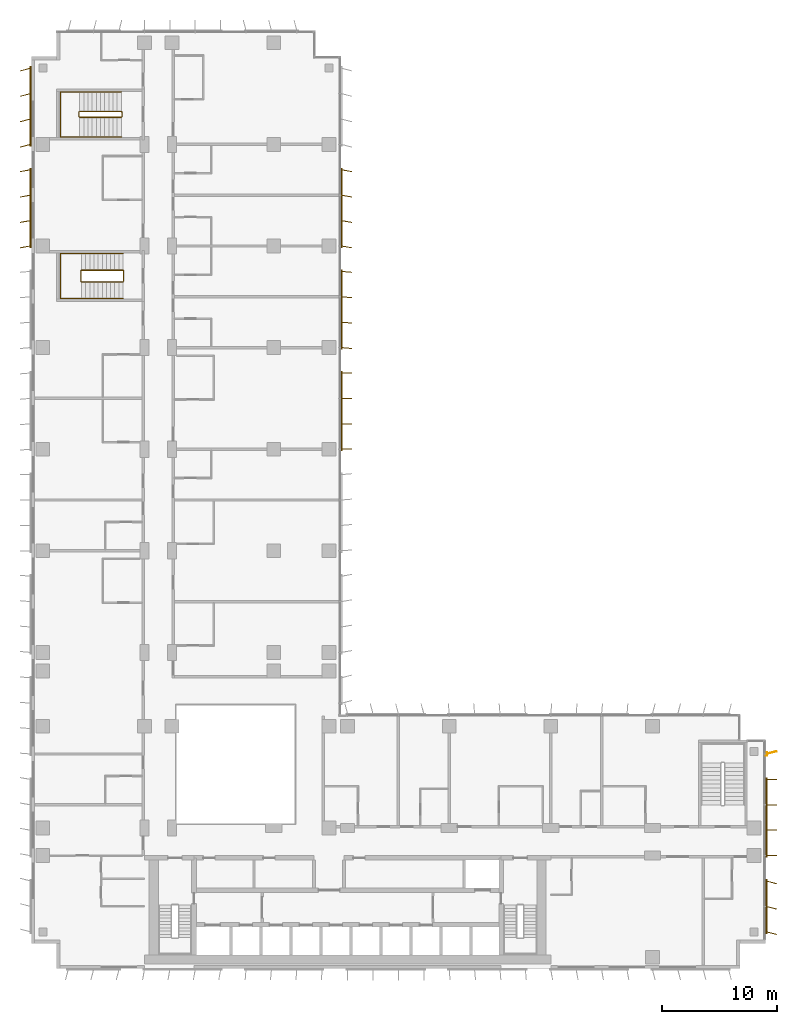
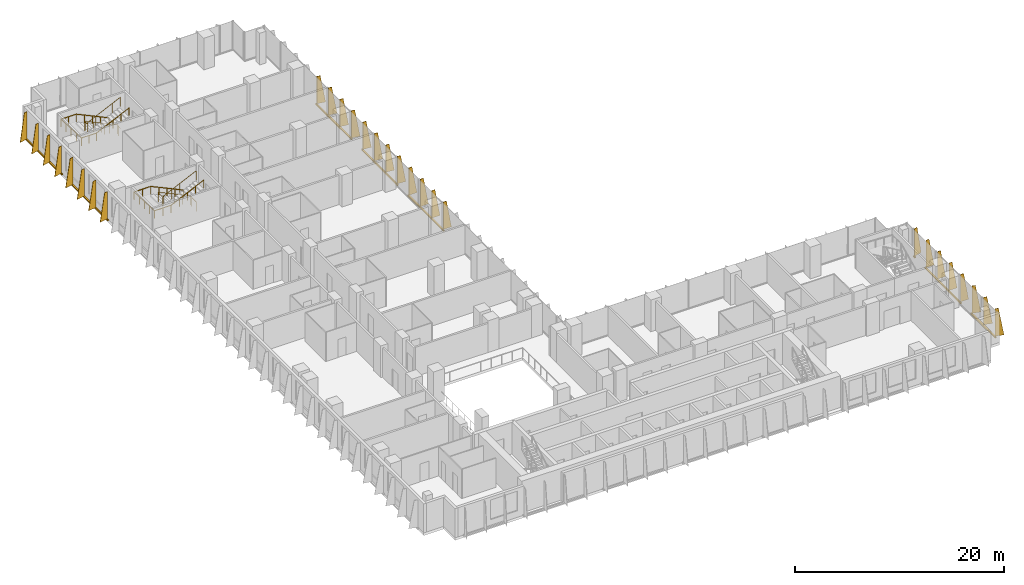
# One storey, part 21 of 22: 8 shading devices, 4 railings.
"""IFC4 building model written with IfcOpenShell, lengths in metres."""

from ifc_helpers import new_model, si_unit, direction, frame, origin, origin_2d, place, context, subcontext, project, spatial, polyline, rectangle, circle, outline, extrude, source, transform, mapped, material, layer, layer_set, type_object, element, save


model = new_model("IFC4")

# Units and contexts
model_context = context("Model", 3, precision=1e-05, world=origin(), true_north=direction((0.0, 1.0)))
body_context = subcontext(model_context, "Body", "Model", "MODEL_VIEW")
ifc_project = project(units=[si_unit("LENGTHUNIT", "METRE"), si_unit("AREAUNIT", "SQUARE_METRE"), si_unit("VOLUMEUNIT", "CUBIC_METRE"), si_unit("PLANEANGLEUNIT", "RADIAN"), si_unit("MASSUNIT", "GRAM", prefix="KILO")], contexts=[model_context])

# Site, building, storey
site_placement = place(None, origin())
site = spatial("IfcSite", under=ifc_project, at=site_placement, CompositionType="ELEMENT")
building_placement = place(site_placement, origin())
building = spatial("IfcBuilding", under=site, at=building_placement, Name="Kemantara Hotel Tower", CompositionType="ELEMENT")
storey_placement = place(building_placement, frame((0.0, 0.0, 90.800048828125)))
storey = spatial("IfcBuildingStorey", under=building, at=storey_placement, Name="L21", CompositionType="ELEMENT", Elevation=90.800048828125)

# Railings
ifc_material_1 = material(Name="Stainless steel balustrade", Category="steel")
railing_type_1 = type_object("IfcRailingType", Name="Stair guard 1100 mm", PredefinedType="GUARDRAIL", material=ifc_material_1)
railing_1_placement = place(storey_placement, frame((7.949951171875, 59.5, 3.699951171875)))
element("IfcRailing", 1, at=railing_1_placement, inside=storey, type_object=railing_type_1, Name="L21 ST4 stair guard 1", PredefinedType="GUARDRAIL", context=body_context, shape_type="SweptSolid", body=[
    extrude(circle(Radius=0.02392578125, at=origin_2d()), frame((0.0, 0.0, 1.076171875), z_axis=(-0.905994681025, 0.0, -0.423289071386), x_axis=(0.0, -1.0, 0.0)), (0.0, 0.0, 1.0), 3.973388671875),
    extrude(circle(Radius=0.02392578125, at=origin_2d()), frame((-3.599853515625, 0.0, -0.60595703125), z_axis=(-0.274243871929, 0.274243871929, -0.92172696468), x_axis=(-0.707106781187, -0.707106781187, 0.0)), (0.0, 0.0, 1.0), 0.1826171875),
    extrude(circle(Radius=0.02392578125, at=origin_2d()), frame((-3.64990234375, 0.050048828125, -0.77392578125), z_axis=(0.0, 1.0, 0.0), x_axis=(-1.0, 0.0, 0.0)), (0.0, 0.0, 1.0), 0.89990234375),
    extrude(circle(Radius=0.02392578125, at=origin_2d()), frame((-3.64990234375, 0.949951171875, -0.77392578125), z_axis=(0.707106781187, 0.707106781187, 0.0), x_axis=(-0.707106781187, 0.707106781187, 0.0)), (0.0, 0.0, 1.0), 0.07080078125),
    extrude(circle(Radius=0.02392578125, at=origin_2d()), frame((-3.599853515625, 1.0, -0.77392578125), z_axis=(0.906018243939, 0.0, -0.423238634402), x_axis=(0.0, 1.0, 0.0)), (0.0, 0.0, 1.0), 3.973388671875),
    extrude(circle(Radius=0.02392578125, at=origin_2d()), frame((0.0, 1.0, -2.45556640625), z_axis=(0.274243871929, -0.274243871929, -0.92172696468), x_axis=(0.707106781187, 0.707106781187, 0.0)), (0.0, 0.0, 1.0), 0.1826171875),
    extrude(circle(Radius=0.02392578125, at=origin_2d()), frame((0.050048828125, 0.949951171875, -2.6240234375), z_axis=(0.0, -1.0, 0.0), x_axis=(1.0, 0.0, 0.0)), (0.0, 0.0, 1.0), 0.89990234375),
    extrude(circle(Radius=0.02099609375, at=origin_2d()), origin(), (0.0, 0.0, 1.0), 1.052001953125),
    extrude(circle(Radius=0.02099609375, at=origin_2d()), frame((-0.89990234375, 0.0, -0.42041015625)), (0.0, 0.0, 1.0), 1.052001953125),
    extrude(circle(Radius=0.02099609375, at=origin_2d()), frame((-1.7998046875, 0.0, -0.8408203125)), (0.0, 0.0, 1.0), 1.052001953125),
    extrude(circle(Radius=0.02099609375, at=origin_2d()), frame((-2.699951171875, 0.0, -1.261474609375)), (0.0, 0.0, 1.0), 1.052001953125),
    extrude(circle(Radius=0.02099609375, at=origin_2d()), frame((-3.599853515625, 0.0, -1.681884765625)), (0.0, 0.0, 1.0), 1.052001953125),
    extrude(circle(Radius=0.02099609375, at=origin_2d()), frame((-3.64990234375, 0.050048828125, -1.85009765625)), (0.0, 0.0, 1.0), 1.052001953125),
    extrude(circle(Radius=0.02099609375, at=origin_2d()), frame((-3.64990234375, 0.949951171875, -1.85009765625)), (0.0, 0.0, 1.0), 1.052001953125),
    extrude(circle(Radius=0.02099609375, at=origin_2d()), frame((-3.599853515625, 1.0, -1.85009765625)), (0.0, 0.0, 1.0), 1.052001953125),
    extrude(circle(Radius=0.02099609375, at=origin_2d()), frame((-2.699951171875, 1.0, -2.2705078125)), (0.0, 0.0, 1.0), 1.052001953125),
    extrude(circle(Radius=0.02099609375, at=origin_2d()), frame((-1.7998046875, 1.0, -2.69091796875)), (0.0, 0.0, 1.0), 1.052001953125),
    extrude(circle(Radius=0.02099609375, at=origin_2d()), frame((-0.89990234375, 1.0, -3.111328125)), (0.0, 0.0, 1.0), 1.052001953125),
    extrude(circle(Radius=0.02099609375, at=origin_2d()), frame((0.0, 1.0, -3.53173828125)), (0.0, 0.0, 1.0), 1.052001953125),
    extrude(circle(Radius=0.02099609375, at=origin_2d()), frame((0.050048828125, 0.949951171875, -3.699951171875)), (0.0, 0.0, 1.0), 1.052001953125),
    extrude(circle(Radius=0.02099609375, at=origin_2d()), frame((0.050048828125, 0.050048828125, -3.699951171875)), (0.0, 0.0, 1.0), 1.052001953125),
])
railing_2_placement = place(storey_placement, frame((7.800048828125, 73.75, 3.699951171875)))
element("IfcRailing", 2, at=railing_2_placement, inside=storey, type_object=railing_type_1, Name="L21 ST6 stair guard 1", PredefinedType="GUARDRAIL", context=body_context, shape_type="SweptSolid", body=[
    extrude(circle(Radius=0.02392578125, at=origin_2d()), frame((0.0, 0.0, 1.076171875), z_axis=(-0.906005689286, 0.0, -0.423265508849), x_axis=(0.0, -1.0, 0.0)), (0.0, 0.0, 1.0), 3.9736328125),
    extrude(circle(Radius=0.02392578125, at=origin_2d()), frame((-3.60009765625, 0.0, -0.60595703125), z_axis=(-0.274243871929, 0.274243871929, -0.92172696468), x_axis=(-0.707106781187, -0.707106781187, 0.0)), (0.0, 0.0, 1.0), 0.1826171875),
    extrude(circle(Radius=0.02392578125, at=origin_2d()), frame((-3.650146484375, 0.050048828125, -0.77392578125), z_axis=(0.0, 1.0, 0.0), x_axis=(-1.0, 0.0, 0.0)), (0.0, 0.0, 1.0), 0.39990234375),
    extrude(circle(Radius=0.02392578125, at=origin_2d()), frame((-3.650146484375, 0.449951171875, -0.77392578125), z_axis=(0.707106781187, 0.707106781187, 0.0), x_axis=(-0.707106781187, 0.707106781187, 0.0)), (0.0, 0.0, 1.0), 0.07080078125),
    extrude(circle(Radius=0.02392578125, at=origin_2d()), frame((-3.60009765625, 0.5, -0.77392578125), z_axis=(0.906029249863, 0.0, -0.423215073447), x_axis=(0.0, 1.0, 0.0)), (0.0, 0.0, 1.0), 3.973388671875),
    extrude(circle(Radius=0.02392578125, at=origin_2d()), frame((0.0, 0.5, -2.45556640625), z_axis=(0.274243871929, -0.274243871929, -0.92172696468), x_axis=(0.707106781187, 0.707106781187, 0.0)), (0.0, 0.0, 1.0), 0.1826171875),
    extrude(circle(Radius=0.02392578125, at=origin_2d()), frame((0.050048828125, 0.449951171875, -2.6240234375), z_axis=(0.0, -1.0, 0.0), x_axis=(1.0, 0.0, 0.0)), (0.0, 0.0, 1.0), 0.39990234375),
    extrude(circle(Radius=0.02099609375, at=origin_2d()), origin(), (0.0, 0.0, 1.0), 1.052001953125),
    extrude(circle(Radius=0.02099609375, at=origin_2d()), frame((-0.89990234375, 0.0, -0.42041015625)), (0.0, 0.0, 1.0), 1.052001953125),
    extrude(circle(Radius=0.02099609375, at=origin_2d()), frame((-1.800048828125, 0.0, -0.8408203125)), (0.0, 0.0, 1.0), 1.052001953125),
    extrude(circle(Radius=0.02099609375, at=origin_2d()), frame((-2.7001953125, 0.0, -1.261474609375)), (0.0, 0.0, 1.0), 1.052001953125),
    extrude(circle(Radius=0.02099609375, at=origin_2d()), frame((-3.60009765625, 0.0, -1.681884765625)), (0.0, 0.0, 1.0), 1.052001953125),
    extrude(circle(Radius=0.02099609375, at=origin_2d()), frame((-3.650146484375, 0.050048828125, -1.85009765625)), (0.0, 0.0, 1.0), 1.052001953125),
    extrude(circle(Radius=0.02099609375, at=origin_2d()), frame((-3.650146484375, 0.449951171875, -1.85009765625)), (0.0, 0.0, 1.0), 1.052001953125),
    extrude(circle(Radius=0.02099609375, at=origin_2d()), frame((-3.60009765625, 0.5, -1.85009765625)), (0.0, 0.0, 1.0), 1.052001953125),
    extrude(circle(Radius=0.02099609375, at=origin_2d()), frame((-2.7001953125, 0.5, -2.2705078125)), (0.0, 0.0, 1.0), 1.052001953125),
    extrude(circle(Radius=0.02099609375, at=origin_2d()), frame((-1.800048828125, 0.5, -2.69091796875)), (0.0, 0.0, 1.0), 1.052001953125),
    extrude(circle(Radius=0.02099609375, at=origin_2d()), frame((-0.89990234375, 0.5, -3.111328125)), (0.0, 0.0, 1.0), 1.052001953125),
    extrude(circle(Radius=0.02099609375, at=origin_2d()), frame((0.0, 0.5, -3.53173828125)), (0.0, 0.0, 1.0), 1.052001953125),
    extrude(circle(Radius=0.02099609375, at=origin_2d()), frame((0.050048828125, 0.449951171875, -3.699951171875)), (0.0, 0.0, 1.0), 1.052001953125),
    extrude(circle(Radius=0.02099609375, at=origin_2d()), frame((0.050048828125, 0.050048828125, -3.699951171875)), (0.0, 0.0, 1.0), 1.052001953125),
])
railing_type_2 = type_object("IfcRailingType", Name="Stair handrail 900 mm", PredefinedType="HANDRAIL", material=ifc_material_1)
railing_3_placement = place(storey_placement, frame((7.949951171875, 61.949951171875, 0.168212890625)))
element("IfcRailing", 3, at=railing_3_placement, inside=storey, type_object=railing_type_2, Name="L21 ST4 stair handrail 1", PredefinedType="HANDRAIL", context=body_context, shape_type="SweptSolid", body=[
    extrude(circle(Radius=0.02392578125, at=origin_2d()), frame((0.0, 0.0, 0.8759765625), z_axis=(-0.906018243939, 0.0, 0.423238634402), x_axis=(0.0, -1.0, 0.0)), (0.0, 0.0, 1.0), 3.973388671875),
    extrude(circle(Radius=0.02392578125, at=origin_2d()), frame((-3.599853515625, 0.0, 2.5576171875), z_axis=(-1.0, 0.0, 0.0), x_axis=(0.0, -1.0, 0.0)), (0.0, 0.0, 1.0), 1.830078125),
    extrude(circle(Radius=0.02392578125, at=origin_2d()), frame((-5.429931640625, 0.0, 2.5576171875), z_axis=(0.0, -0.999071085748, 0.043092523981), x_axis=(1.0, 0.0, 0.0)), (0.0, 0.0, 1.0), 3.903564453125),
    extrude(circle(Radius=0.02392578125, at=origin_2d()), frame((-5.429931640625, -3.89990234375, 2.7255859375), z_axis=(1.0, 0.0, 0.0), x_axis=(0.0, 1.0, 0.0)), (0.0, 0.0, 1.0), 1.830078125),
    extrude(circle(Radius=0.02392578125, at=origin_2d()), frame((-3.599853515625, -3.89990234375, 2.7255859375), z_axis=(0.905994681025, 0.0, 0.423289071386), x_axis=(0.0, 1.0, 0.0)), (0.0, 0.0, 1.0), 3.973388671875),
    extrude(circle(Radius=0.02099609375, at=origin_2d()), origin(), (0.0, 0.0, 1.0), 0.851806640625),
    extrude(circle(Radius=0.02099609375, at=origin_2d()), frame((-0.89990234375, 0.0, 0.42041015625)), (0.0, 0.0, 1.0), 0.851806640625),
    extrude(circle(Radius=0.02099609375, at=origin_2d()), frame((-1.7998046875, 0.0, 0.8408203125)), (0.0, 0.0, 1.0), 0.851806640625),
    extrude(circle(Radius=0.02099609375, at=origin_2d()), frame((-2.699951171875, 0.0, 1.26123046875)), (0.0, 0.0, 1.0), 0.851806640625),
    extrude(circle(Radius=0.02099609375, at=origin_2d()), frame((-3.599853515625, 0.0, 1.681640625)), (0.0, 0.0, 1.0), 0.851806640625),
    extrude(circle(Radius=0.02099609375, at=origin_2d()), frame((-4.514892578125, 0.0, 1.681640625)), (0.0, 0.0, 1.0), 0.851806640625),
    extrude(circle(Radius=0.02099609375, at=origin_2d()), frame((-5.429931640625, 0.0, 1.681640625)), (0.0, 0.0, 1.0), 0.851806640625),
    extrude(circle(Radius=0.02099609375, at=origin_2d()), frame((-5.429931640625, -0.97509765625, 1.7236328125)), (0.0, 0.0, 1.0), 0.851806640625),
    extrude(circle(Radius=0.02099609375, at=origin_2d()), frame((-5.429931640625, -1.949951171875, 1.765625)), (0.0, 0.0, 1.0), 0.851806640625),
    extrude(circle(Radius=0.02099609375, at=origin_2d()), frame((-5.429931640625, -2.9248046875, 1.807861328125)), (0.0, 0.0, 1.0), 0.851806640625),
    extrude(circle(Radius=0.02099609375, at=origin_2d()), frame((-5.429931640625, -3.89990234375, 1.849853515625)), (0.0, 0.0, 1.0), 0.851806640625),
    extrude(circle(Radius=0.02099609375, at=origin_2d()), frame((-4.514892578125, -3.89990234375, 1.849853515625)), (0.0, 0.0, 1.0), 0.851806640625),
    extrude(circle(Radius=0.02099609375, at=origin_2d()), frame((-3.599853515625, -3.89990234375, 1.849853515625)), (0.0, 0.0, 1.0), 0.851806640625),
    extrude(circle(Radius=0.02099609375, at=origin_2d()), frame((-2.699951171875, -3.89990234375, 2.270263671875)), (0.0, 0.0, 1.0), 0.851806640625),
    extrude(circle(Radius=0.02099609375, at=origin_2d()), frame((-1.7998046875, -3.89990234375, 2.69091796875)), (0.0, 0.0, 1.0), 0.851806640625),
    extrude(circle(Radius=0.02099609375, at=origin_2d()), frame((-0.89990234375, -3.89990234375, 3.111328125)), (0.0, 0.0, 1.0), 0.851806640625),
    extrude(circle(Radius=0.02099609375, at=origin_2d()), frame((0.0, -3.89990234375, 3.53173828125)), (0.0, 0.0, 1.0), 0.851806640625),
])
railing_4_placement = place(storey_placement, frame((7.800048828125, 75.949951171875, 0.168212890625)))
element("IfcRailing", 4, at=railing_4_placement, inside=storey, type_object=railing_type_2, Name="L21 ST6 stair handrail 1", PredefinedType="HANDRAIL", context=body_context, shape_type="SweptSolid", body=[
    extrude(circle(Radius=0.02392578125, at=origin_2d()), frame((0.0, 0.0, 0.8759765625), z_axis=(-0.906029249863, 0.0, 0.423215073447), x_axis=(0.0, -1.0, 0.0)), (0.0, 0.0, 1.0), 3.973388671875),
    extrude(circle(Radius=0.02392578125, at=origin_2d()), frame((-3.60009765625, 0.0, 2.5576171875), z_axis=(-1.0, 0.0, 0.0), x_axis=(0.0, -1.0, 0.0)), (0.0, 0.0, 1.0), 1.679931640625),
    extrude(circle(Radius=0.02392578125, at=origin_2d()), frame((-5.280029296875, 0.0, 2.5576171875), z_axis=(0.0, -0.999071085748, 0.043092523981), x_axis=(1.0, 0.0, 0.0)), (0.0, 0.0, 1.0), 3.903564453125),
    extrude(circle(Radius=0.02392578125, at=origin_2d()), frame((-5.280029296875, -3.89990234375, 2.7255859375), z_axis=(1.0, 0.0, 0.0), x_axis=(0.0, 1.0, 0.0)), (0.0, 0.0, 1.0), 1.679931640625),
    extrude(circle(Radius=0.02392578125, at=origin_2d()), frame((-3.60009765625, -3.89990234375, 2.7255859375), z_axis=(0.906005689286, 0.0, 0.423265508849), x_axis=(0.0, 1.0, 0.0)), (0.0, 0.0, 1.0), 3.9736328125),
    extrude(circle(Radius=0.02099609375, at=origin_2d()), origin(), (0.0, 0.0, 1.0), 0.851806640625),
    extrude(circle(Radius=0.02099609375, at=origin_2d()), frame((-0.89990234375, 0.0, 0.42041015625)), (0.0, 0.0, 1.0), 0.851806640625),
    extrude(circle(Radius=0.02099609375, at=origin_2d()), frame((-1.800048828125, 0.0, 0.8408203125)), (0.0, 0.0, 1.0), 0.851806640625),
    extrude(circle(Radius=0.02099609375, at=origin_2d()), frame((-2.7001953125, 0.0, 1.26123046875)), (0.0, 0.0, 1.0), 0.851806640625),
    extrude(circle(Radius=0.02099609375, at=origin_2d()), frame((-3.60009765625, 0.0, 1.681640625)), (0.0, 0.0, 1.0), 0.851806640625),
    extrude(circle(Radius=0.02099609375, at=origin_2d()), frame((-4.43994140625, 0.0, 1.681640625)), (0.0, 0.0, 1.0), 0.851806640625),
    extrude(circle(Radius=0.02099609375, at=origin_2d()), frame((-5.280029296875, 0.0, 1.681640625)), (0.0, 0.0, 1.0), 0.851806640625),
    extrude(circle(Radius=0.02099609375, at=origin_2d()), frame((-5.280029296875, -0.97509765625, 1.7236328125)), (0.0, 0.0, 1.0), 0.851806640625),
    extrude(circle(Radius=0.02099609375, at=origin_2d()), frame((-5.280029296875, -1.949951171875, 1.765625)), (0.0, 0.0, 1.0), 0.851806640625),
    extrude(circle(Radius=0.02099609375, at=origin_2d()), frame((-5.280029296875, -2.9248046875, 1.807861328125)), (0.0, 0.0, 1.0), 0.851806640625),
    extrude(circle(Radius=0.02099609375, at=origin_2d()), frame((-5.280029296875, -3.89990234375, 1.849853515625)), (0.0, 0.0, 1.0), 0.851806640625),
    extrude(circle(Radius=0.02099609375, at=origin_2d()), frame((-4.43994140625, -3.89990234375, 1.849853515625)), (0.0, 0.0, 1.0), 0.851806640625),
    extrude(circle(Radius=0.02099609375, at=origin_2d()), frame((-3.60009765625, -3.89990234375, 1.849853515625)), (0.0, 0.0, 1.0), 0.851806640625),
    extrude(circle(Radius=0.02099609375, at=origin_2d()), frame((-2.7001953125, -3.89990234375, 2.270263671875)), (0.0, 0.0, 1.0), 0.851806640625),
    extrude(circle(Radius=0.02099609375, at=origin_2d()), frame((-1.800048828125, -3.89990234375, 2.69091796875)), (0.0, 0.0, 1.0), 0.851806640625),
    extrude(circle(Radius=0.02099609375, at=origin_2d()), frame((-0.89990234375, -3.89990234375, 3.111328125)), (0.0, 0.0, 1.0), 0.851806640625),
    extrude(circle(Radius=0.02099609375, at=origin_2d()), frame((0.0, -3.89990234375, 3.53173828125)), (0.0, 0.0, 1.0), 0.851806640625),
])

# Shading devices
ifc_material_2 = material(Name="Perforated aluminium plate 4 mm bronze anodised", Category="aluminium")
ifc_layer_1 = layer(ifc_material_2, 0.0400390625)
ifc_layer_set_1 = layer_set([ifc_layer_1], Name="Perforated aluminium plate 4 mm bronze anodised")
shading_device_type_1 = type_object("IfcShadingDeviceType", Name="SCREEN FIN CASSETTE, 3 BLADES AT -15.0 DEG, 3200 HIGH", PredefinedType="USERDEFINED", material=ifc_layer_set_1)
shared_shape_1 = source(origin(), body_context, "Body", "SweptSolid", [
    extrude(rectangle(XDim=4.699951171875, YDim=0.14990234375, at=origin_2d()), frame((2.199951171875, -0.074951171875, -0.14990234375), z_axis=(0.0, 0.0, 1.0), x_axis=(1.0, 0.0, 0.0)), (0.0, 0.0, 1.0), 0.14990234375),
    extrude(outline(polyline([(0.0, 0.0), (0.89990234375, 0.0), (0.35009765625, 3.199951171875), (0.0, 3.199951171875), (0.0, 0.0)])), frame((0.019287109375, -0.080078125, 0.0), z_axis=(-0.966437683387, 0.256901156343, 0.0), x_axis=(-0.256901156343, -0.966437683387, 0.0)), (0.0, 0.0, 1.0), 0.039794921875),
    extrude(outline(polyline([(0.0, 0.0), (0.89990234375, 0.0), (0.35009765625, 3.199951171875), (0.0, 3.199951171875), (0.0, 0.0)])), frame((2.21923828125, -0.080078125, 0.0), z_axis=(-0.966437683387, 0.256901156343, 0.0), x_axis=(-0.256901156343, -0.966437683387, 0.0)), (0.0, 0.0, 1.0), 0.039794921875),
    extrude(outline(polyline([(0.0, 0.0), (0.89990234375, 0.0), (0.35009765625, 3.199951171875), (0.0, 3.199951171875), (0.0, 0.0)])), frame((4.41943359375, -0.080078125, 0.0), z_axis=(-0.966837822169, 0.255391122837, 0.0), x_axis=(-0.255391122837, -0.966837822169, 0.0)), (0.0, 0.0, 1.0), 0.0400390625),
])
shading_device_1_placement = place(storey_placement, frame((63.60009765625, 3.199951171875, 0.099853515625), z_axis=(0.0, 0.0, 1.0), x_axis=(0.0, 1.0, 0.0)))
element("IfcShadingDevice", 5, at=shading_device_1_placement, inside=storey, type_object=shading_device_type_1, Name="SCREEN FIN CASSETTE L21 T2-R10-1", ObjectType="SCREEN FIN", PredefinedType="USERDEFINED", context=body_context, shape_type="MappedRepresentation", body=[
    mapped(shared_shape_1, transform((0.0, 0.0, 0.0))),
])
ifc_layer_2 = layer(ifc_material_2, 0.0400390625)
ifc_layer_set_2 = layer_set([ifc_layer_2], Name="Perforated aluminium plate 4 mm bronze anodised")
shading_device_type_2 = type_object("IfcShadingDeviceType", Name="SCREEN FIN CASSETTE, 4 BLADES AT -10.0 DEG, 3200 HIGH", PredefinedType="USERDEFINED", material=ifc_layer_set_2)
shared_shape_2 = source(origin(), body_context, "Body", "SweptSolid", [
    extrude(rectangle(XDim=6.89990234375, YDim=0.14990234375, at=origin_2d()), frame((3.300048828125, -0.074951171875, -0.14990234375), z_axis=(0.0, 0.0, 1.0), x_axis=(1.0, 0.0, 0.0)), (0.0, 0.0, 1.0), 0.14990234375),
    extrude(outline(polyline([(0.0, 0.0), (0.89990234375, 0.0), (0.35009765625, 3.199951171875), (0.0, 3.199951171875), (0.0, 0.0)])), frame((0.019775390625, -0.078369140625, 0.0), z_axis=(-0.985389793052, 0.170314285219, 0.0), x_axis=(-0.170314285219, -0.985389793052, 0.0)), (0.0, 0.0, 1.0), 0.0400390625),
    extrude(outline(polyline([(0.0, 0.0), (0.89990234375, 0.0), (0.35009765625, 3.199951171875), (0.0, 3.199951171875), (0.0, 0.0)])), frame((2.2197265625, -0.078369140625, 0.0), z_axis=(-0.98521175482, 0.171341174751, 0.0), x_axis=(-0.171341174751, -0.98521175482, 0.0)), (0.0, 0.0, 1.0), 0.039794921875),
    extrude(outline(polyline([(0.0, 0.0), (0.89990234375, 0.0), (0.35009765625, 3.199951171875), (0.0, 3.199951171875), (0.0, 0.0)])), frame((4.419677734375, -0.078369140625, 0.0), z_axis=(-0.98521175482, 0.171341174751, 0.0), x_axis=(-0.171341174751, -0.98521175482, 0.0)), (0.0, 0.0, 1.0), 0.039794921875),
    extrude(outline(polyline([(0.0, 0.0), (0.89990234375, 0.0), (0.35009765625, 3.199951171875), (0.0, 3.199951171875), (0.0, 0.0)])), frame((6.61962890625, -0.078369140625, 0.0), z_axis=(-0.98521175482, 0.171341174751, 0.0), x_axis=(-0.171341174751, -0.98521175482, 0.0)), (0.0, 0.0, 1.0), 0.039794921875),
])
shading_device_2_placement = place(storey_placement, frame((26.800048828125, 62.60009765625, 0.099853515625), z_axis=(0.0, 0.0, 1.0), x_axis=(0.0, 1.0, 0.0)))
element("IfcShadingDevice", 6, at=shading_device_2_placement, inside=storey, type_object=shading_device_type_2, Name="SCREEN FIN CASSETTE L21 T2-R14-6", ObjectType="SCREEN FIN", PredefinedType="USERDEFINED", context=body_context, shape_type="MappedRepresentation", body=[
    mapped(shared_shape_2, transform((0.0, 0.0, 0.0))),
])
ifc_layer_3 = layer(ifc_material_2, 0.0400390625)
ifc_layer_set_3 = layer_set([ifc_layer_3], Name="Perforated aluminium plate 4 mm bronze anodised")
shading_device_type_3 = type_object("IfcShadingDeviceType", Name="SCREEN FIN CASSETTE, 4 BLADES AT -5.0 DEG, 3200 HIGH", PredefinedType="USERDEFINED", material=ifc_layer_set_3)
shared_shape_3 = source(origin(), body_context, "Body", "SweptSolid", [
    extrude(rectangle(XDim=6.89990234375, YDim=0.14990234375, at=origin_2d()), frame((3.300048828125, -0.074951171875, -0.14990234375), z_axis=(0.0, 0.0, 1.0), x_axis=(1.0, 0.0, 0.0)), (0.0, 0.0, 1.0), 0.14990234375),
    extrude(outline(polyline([(0.0, 0.0), (0.89990234375, 0.0), (0.35009765625, 3.199951171875), (0.0, 3.199951171875), (0.0, 0.0)])), frame((0.02001953125, -0.07666015625, 0.0), z_axis=(-0.996376129781, 0.085056498884, 0.0), x_axis=(-0.085056498884, -0.996376129781, 0.0)), (0.0, 0.0, 1.0), 0.040283203125),
    extrude(outline(polyline([(0.0, 0.0), (0.89990234375, 0.0), (0.35009765625, 3.199951171875), (0.0, 3.199951171875), (0.0, 0.0)])), frame((2.219970703125, -0.07666015625, 0.0), z_axis=(-0.996331773833, 0.085574508182, 0.0), x_axis=(-0.085574508182, -0.996331773833, 0.0)), (0.0, 0.0, 1.0), 0.0400390625),
    extrude(outline(polyline([(0.0, 0.0), (0.89990234375, 0.0), (0.35009765625, 3.199951171875), (0.0, 3.199951171875), (0.0, 0.0)])), frame((4.419921875, -0.07666015625, 0.0), z_axis=(-0.996331773833, 0.085574508182, 0.0), x_axis=(-0.085574508182, -0.996331773833, 0.0)), (0.0, 0.0, 1.0), 0.0400390625),
    extrude(outline(polyline([(0.0, 0.0), (0.89990234375, 0.0), (0.35009765625, 3.199951171875), (0.0, 3.199951171875), (0.0, 0.0)])), frame((6.619873046875, -0.07666015625, 0.0), z_axis=(-0.996331773833, 0.085574508182, 0.0), x_axis=(-0.085574508182, -0.996331773833, 0.0)), (0.0, 0.0, 1.0), 0.0400390625),
])
shading_device_3_placement = place(storey_placement, frame((26.800048828125, 53.800048828125, 0.099853515625), z_axis=(0.0, 0.0, 1.0), x_axis=(0.0, 1.0, 0.0)))
element("IfcShadingDevice", 7, at=shading_device_3_placement, inside=storey, type_object=shading_device_type_3, Name="SCREEN FIN CASSETTE L21 T2-R14-5", ObjectType="SCREEN FIN", PredefinedType="USERDEFINED", context=body_context, shape_type="MappedRepresentation", body=[
    mapped(shared_shape_3, transform((0.0, 0.0, 0.0))),
])
ifc_layer_4 = layer(ifc_material_2, 0.0400390625)
ifc_layer_set_4 = layer_set([ifc_layer_4], Name="Perforated aluminium plate 4 mm bronze anodised")
shading_device_type_4 = type_object("IfcShadingDeviceType", Name="SCREEN FIN CASSETTE, 4 BLADES AT +0.0 DEG, 3200 HIGH", PredefinedType="USERDEFINED", material=ifc_layer_set_4)
shared_shape_4 = source(origin(), body_context, "Body", "SweptSolid", [
    extrude(rectangle(XDim=6.89990234375, YDim=0.14990234375, at=origin_2d()), frame((3.300048828125, -0.074951171875, -0.14990234375), z_axis=(0.0, 0.0, 1.0), x_axis=(1.0, 0.0, 0.0)), (0.0, 0.0, 1.0), 0.14990234375),
    extrude(outline(polyline([(0.0, 0.0), (0.89990234375, 0.0), (0.35009765625, 3.199951171875), (0.0, 3.199951171875), (0.0, 0.0)])), frame((0.02001953125, -0.074951171875, 0.0), z_axis=(-1.0, 0.0, 0.0), x_axis=(0.0, -1.0, 0.0)), (0.0, 0.0, 1.0), 0.0400390625),
    extrude(outline(polyline([(0.0, 0.0), (0.89990234375, 0.0), (0.35009765625, 3.199951171875), (0.0, 3.199951171875), (0.0, 0.0)])), frame((2.219970703125, -0.074951171875, 0.0), z_axis=(-1.0, 0.0, 0.0), x_axis=(0.0, -1.0, 0.0)), (0.0, 0.0, 1.0), 0.0400390625),
    extrude(outline(polyline([(0.0, 0.0), (0.89990234375, 0.0), (0.35009765625, 3.199951171875), (0.0, 3.199951171875), (0.0, 0.0)])), frame((4.419921875, -0.074951171875, 0.0), z_axis=(-1.0, 0.0, 0.0), x_axis=(0.0, -1.0, 0.0)), (0.0, 0.0, 1.0), 0.0400390625),
    extrude(outline(polyline([(0.0, 0.0), (0.89990234375, 0.0), (0.35009765625, 3.199951171875), (0.0, 3.199951171875), (0.0, 0.0)])), frame((6.6201171875, -0.074951171875, 0.0), z_axis=(-1.0, 0.0, 0.0), x_axis=(0.0, -1.0, 0.0)), (0.0, 0.0, 1.0), 0.0400390625),
])
for number, where, z_axis, x_axis, name in (
    (8, (63.60009765625, 9.800048828125, 0.099853515625), (0.0, 0.0, 1.0), (0.0, 1.0, 0.0), "SCREEN FIN CASSETTE L21 T2-R10-2"),
    (9, (26.800048828125, 45.0, 0.099853515625), (0.0, 0.0, 1.0), (0.0, 1.0, 0.0), "SCREEN FIN CASSETTE L21 T2-R14-4"),
):
    element("IfcShadingDevice", number, at=place(storey_placement, frame(where, z_axis=z_axis, x_axis=x_axis)), inside=storey, type_object=shading_device_type_4, Name=name, ObjectType="SCREEN FIN", PredefinedType="USERDEFINED", context=body_context, shape_type="MappedRepresentation", body=[
        mapped(shared_shape_4, transform((0.0, 0.0, 0.0))),
    ])
ifc_layer_5 = layer(ifc_material_2, 0.0400390625)
ifc_layer_set_5 = layer_set([ifc_layer_5], Name="Perforated aluminium plate 4 mm bronze anodised")
shading_device_type_5 = type_object("IfcShadingDeviceType", Name="SCREEN FIN CASSETTE, 4 BLADES AT +10.0 DEG, 3200 HIGH", PredefinedType="USERDEFINED", material=ifc_layer_set_5)
shared_shape_5 = source(origin(), body_context, "Body", "SweptSolid", [
    extrude(rectangle(XDim=6.89990234375, YDim=0.14990234375, at=origin_2d()), frame((3.300048828125, -0.074951171875, -0.14990234375), z_axis=(0.0, 0.0, 1.0), x_axis=(1.0, 0.0, 0.0)), (0.0, 0.0, 1.0), 0.14990234375),
    extrude(outline(polyline([(0.0, 0.0), (0.89990234375, 0.0), (0.35009765625, 3.199951171875), (0.0, 3.199951171875), (0.0, 0.0)])), frame((0.019775390625, -0.071533203125, 0.0), z_axis=(-0.985389793052, -0.170314285219, 0.0), x_axis=(0.170314285219, -0.985389793052, 0.0)), (0.0, 0.0, 1.0), 0.0400390625),
    extrude(outline(polyline([(0.0, 0.0), (0.89990234375, 0.0), (0.35009765625, 3.199951171875), (0.0, 3.199951171875), (0.0, 0.0)])), frame((2.2197265625, -0.071533203125, 0.0), z_axis=(-0.98521175482, -0.171341174751, 0.0), x_axis=(0.171341174751, -0.98521175482, 0.0)), (0.0, 0.0, 1.0), 0.039794921875),
    extrude(outline(polyline([(0.0, 0.0), (0.89990234375, 0.0), (0.35009765625, 3.199951171875), (0.0, 3.199951171875), (0.0, 0.0)])), frame((4.419677734375, -0.071533203125, 0.0), z_axis=(-0.98521175482, -0.171341174751, 0.0), x_axis=(0.171341174751, -0.98521175482, 0.0)), (0.0, 0.0, 1.0), 0.039794921875),
    extrude(outline(polyline([(0.0, 0.0), (0.89990234375, 0.0), (0.35009765625, 3.199951171875), (0.0, 3.199951171875), (0.0, 0.0)])), frame((6.61962890625, -0.071533203125, 0.0), z_axis=(-0.98521175482, -0.171341174751, 0.0), x_axis=(0.171341174751, -0.98521175482, 0.0)), (0.0, 0.0, 1.0), 0.039794921875),
])
shading_device_4_placement = place(storey_placement, frame((0.0, 69.199951171875, 0.099853515625), z_axis=(0.0, 0.0, 1.0), x_axis=(0.0, -1.0, 0.0)))
element("IfcShadingDevice", 10, at=shading_device_4_placement, inside=storey, type_object=shading_device_type_5, Name="SCREEN FIN CASSETTE L21 T2-R04-2", ObjectType="SCREEN FIN", PredefinedType="USERDEFINED", context=body_context, shape_type="MappedRepresentation", body=[
    mapped(shared_shape_5, transform((0.0, 0.0, 0.0))),
])
ifc_layer_6 = layer(ifc_material_2, 0.0400390625)
ifc_layer_set_6 = layer_set([ifc_layer_6], Name="Perforated aluminium plate 4 mm bronze anodised")
shading_device_type_6 = type_object("IfcShadingDeviceType", Name="SCREEN FIN CASSETTE, 4 BLADES AT +15.0 DEG, 3200 HIGH", PredefinedType="USERDEFINED", material=ifc_layer_set_6)
shared_shape_6 = source(origin(), body_context, "Body", "SweptSolid", [
    extrude(rectangle(XDim=6.89990234375, YDim=0.14990234375, at=origin_2d()), frame((3.300048828125, -0.074951171875, -0.14990234375), z_axis=(0.0, 0.0, 1.0), x_axis=(1.0, 0.0, 0.0)), (0.0, 0.0, 1.0), 0.14990234375),
    extrude(outline(polyline([(0.0, 0.0), (0.89990234375, 0.0), (0.35009765625, 3.199951171875), (0.0, 3.199951171875), (0.0, 0.0)])), frame((0.019287109375, -0.06982421875, 0.0), z_axis=(-0.966437683387, -0.256901156343, 0.0), x_axis=(0.256901156343, -0.966437683387, 0.0)), (0.0, 0.0, 1.0), 0.039794921875),
    extrude(outline(polyline([(0.0, 0.0), (0.89990234375, 0.0), (0.35009765625, 3.199951171875), (0.0, 3.199951171875), (0.0, 0.0)])), frame((2.21923828125, -0.06982421875, 0.0), z_axis=(-0.966437683387, -0.256901156343, 0.0), x_axis=(0.256901156343, -0.966437683387, 0.0)), (0.0, 0.0, 1.0), 0.039794921875),
    extrude(outline(polyline([(0.0, 0.0), (0.89990234375, 0.0), (0.35009765625, 3.199951171875), (0.0, 3.199951171875), (0.0, 0.0)])), frame((4.41943359375, -0.06982421875, 0.0), z_axis=(-0.966837822169, -0.255391122837, 0.0), x_axis=(0.255391122837, -0.966837822169, 0.0)), (0.0, 0.0, 1.0), 0.0400390625),
    extrude(outline(polyline([(0.0, 0.0), (0.89990234375, 0.0), (0.35009765625, 3.199951171875), (0.0, 3.199951171875), (0.0, 0.0)])), frame((6.619384765625, -0.06982421875, 0.0), z_axis=(-0.966837822169, -0.255391122837, 0.0), x_axis=(0.255391122837, -0.966837822169, 0.0)), (0.0, 0.0, 1.0), 0.0400390625),
])
shading_device_5_placement = place(storey_placement, frame((0.0, 78.0, 0.099853515625), z_axis=(0.0, 0.0, 1.0), x_axis=(0.0, -1.0, 0.0)))
element("IfcShadingDevice", 11, at=shading_device_5_placement, inside=storey, type_object=shading_device_type_6, Name="SCREEN FIN CASSETTE L21 T2-R04-1", ObjectType="SCREEN FIN", PredefinedType="USERDEFINED", context=body_context, shape_type="MappedRepresentation", body=[
    mapped(shared_shape_6, transform((0.0, 0.0, 0.0))),
])
ifc_layer_7 = layer(ifc_material_2, 0.0400390625)
ifc_layer_set_7 = layer_set([ifc_layer_7], Name="Perforated aluminium plate 4 mm bronze anodised")
shading_device_type_7 = type_object("IfcShadingDeviceType", Name="SCREEN FIN CASSETTE, 1 BLADE AT +15.0 DEG, 3200 HIGH", PredefinedType="USERDEFINED", material=ifc_layer_set_7)
shared_shape_7 = source(origin(), body_context, "Body", "SweptSolid", [
    extrude(rectangle(XDim=0.300048828125, YDim=0.14990234375, at=origin_2d()), frame((0.0, -0.074951171875, -0.14990234375), z_axis=(0.0, 0.0, 1.0), x_axis=(1.0, 0.0, 0.0)), (0.0, 0.0, 1.0), 0.14990234375),
    extrude(outline(polyline([(0.0, 0.0), (0.89990234375, 0.0), (0.35009765625, 3.199951171875), (0.0, 3.199951171875), (0.0, 0.0)])), frame((0.019287109375, -0.06982421875, 0.0), z_axis=(-0.966437683387, -0.256901156343, 0.0), x_axis=(0.256901156343, -0.966437683387, 0.0)), (0.0, 0.0, 1.0), 0.039794921875),
])
shading_device_6_placement = place(storey_placement, frame((63.60009765625, 18.60009765625, 0.099853515625), z_axis=(0.0, 0.0, 1.0), x_axis=(0.0, 1.0, 0.0)))
element("IfcShadingDevice", 12, at=shading_device_6_placement, inside=storey, type_object=shading_device_type_7, Name="SCREEN FIN CASSETTE L21 T2-R10-3", ObjectType="SCREEN FIN", PredefinedType="USERDEFINED", context=body_context, shape_type="MappedRepresentation", body=[
    mapped(shared_shape_7, transform((0.0, 0.0, 0.0))),
])

save(model, "model.ifc")
